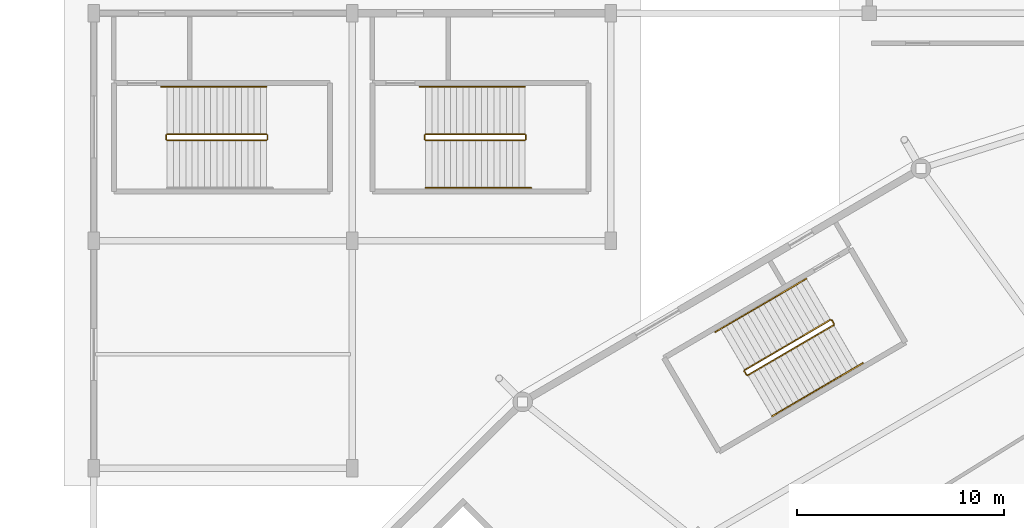
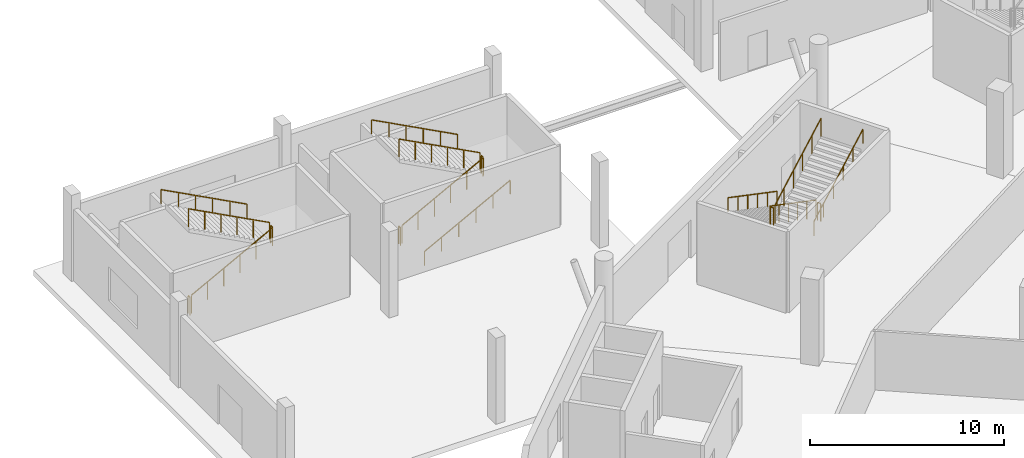
# One storey, part 78 of 82: 17 railings.
"""IFC4 building model written with IfcOpenShell, lengths in metres."""

from ifc_helpers import new_model, si_unit, direction, frame, origin, origin_2d, place, context, subcontext, project, spatial, rectangle, extrude, material, type_object, element, save


model = new_model("IFC4")

# Units and contexts
model_context = context("Model", 3, precision=1e-05, world=origin(), true_north=direction((0.0, 1.0)))
body_context = subcontext(model_context, "Body", "Model", "MODEL_VIEW")
ifc_project = project(units=[si_unit("LENGTHUNIT", "METRE"), si_unit("AREAUNIT", "SQUARE_METRE"), si_unit("VOLUMEUNIT", "CUBIC_METRE"), si_unit("PLANEANGLEUNIT", "RADIAN"), si_unit("MASSUNIT", "GRAM", prefix="KILO")], contexts=[model_context])

# Site, building, storey
site_placement = place(None, origin())
site = spatial("IfcSite", under=ifc_project, at=site_placement, CompositionType="ELEMENT")
building_placement = place(site_placement, origin())
building = spatial("IfcBuilding", under=site, at=building_placement, Name="Zlatoyarsky Gate Stadium", CompositionType="ELEMENT")
storey_placement = place(building_placement, origin())
storey = spatial("IfcBuildingStorey", under=building, at=storey_placement, Name="L00", CompositionType="ELEMENT", Elevation=0.0)

# Railings
ifc_material_1 = material(Name="Powder-coated steel stair guardrail", Category="steel")
railing_type_1 = type_object("IfcRailingType", Name="PAINTED STEEL STAIR WELL GUARDRAIL 1150", PredefinedType="GUARDRAIL", material=ifc_material_1)
railing_1_placement = place(storey_placement, frame((60.1220703125, 134.1767578125, 0.158935546875)))
element("IfcRailing", 1, at=railing_1_placement, inside=storey, type_object=railing_type_1, Name="ST-05 L00 stair guard 1", PredefinedType="GUARDRAIL", context=body_context, shape_type="SweptSolid", body=[
    extrude(rectangle(XDim=0.048095703125, YDim=0.048095703125, at=origin_2d()), frame((0.0, 0.0, 1.1259765625), z_axis=(-0.762577086584, -0.446739630186, 0.467867384884), x_axis=(0.505476687537, -0.862840262364, 0.0)), (0.0, 0.0, 1.0), 5.43115234375),
    extrude(rectangle(XDim=0.0419921875, YDim=0.0419921875, at=origin_2d()), origin(), (0.0, 0.0, 1.0), 1.101806640625),
    extrude(rectangle(XDim=0.0419921875, YDim=0.0419921875, at=origin_2d()), frame((-0.828369140625, -0.4853515625, 0.50830078125)), (0.0, 0.0, 1.0), 1.101806640625),
    extrude(rectangle(XDim=0.0419921875, YDim=0.0419921875, at=origin_2d()), frame((-1.65673828125, -0.970458984375, 1.016357421875)), (0.0, 0.0, 1.0), 1.101806640625),
    extrude(rectangle(XDim=0.0419921875, YDim=0.0419921875, at=origin_2d()), frame((-2.48486328125, -1.455810546875, 1.524658203125)), (0.0, 0.0, 1.0), 1.101806640625),
    extrude(rectangle(XDim=0.0419921875, YDim=0.0419921875, at=origin_2d()), frame((-3.313232421875, -1.94091796875, 2.03271484375)), (0.0, 0.0, 1.0), 1.101806640625),
    extrude(rectangle(XDim=0.0419921875, YDim=0.0419921875, at=origin_2d()), frame((-4.1416015625, -2.42626953125, 2.541015625)), (0.0, 0.0, 1.0), 1.101806640625),
])
railing_2_placement = place(storey_placement, frame((55.962646484375, 131.68212890625, 2.699951171875)))
element("IfcRailing", 2, at=railing_2_placement, inside=storey, type_object=railing_type_1, Name="ST-05 L00 stair guard 2", PredefinedType="GUARDRAIL", context=body_context, shape_type="SweptSolid", body=[
    extrude(rectangle(XDim=0.048095703125, YDim=0.048095703125, at=origin_2d()), frame((0.0, 0.0, 1.1259765625), z_axis=(0.505312229679, -0.862936585467, 0.0), x_axis=(0.862936585467, 0.505312229679, 0.0)), (0.0, 0.0, 1.0), 0.199951171875),
    extrude(rectangle(XDim=0.0419921875, YDim=0.0419921875, at=origin_2d()), origin(), (0.0, 0.0, 1.0), 1.101806640625),
    extrude(rectangle(XDim=0.0419921875, YDim=0.0419921875, at=origin_2d()), frame((0.10107421875, -0.172607421875, 0.0)), (0.0, 0.0, 1.0), 1.101806640625),
])
railing_3_placement = place(storey_placement, frame((56.132080078125, 131.49169921875, 2.85888671875)))
element("IfcRailing", 3, at=railing_3_placement, inside=storey, type_object=railing_type_1, Name="ST-05 L00 stair guard 3", PredefinedType="GUARDRAIL", context=body_context, shape_type="SweptSolid", body=[
    extrude(rectangle(XDim=0.048095703125, YDim=0.048095703125, at=origin_2d()), frame((0.0, 0.0, 1.1259765625), z_axis=(0.762577086584, 0.446739630186, 0.467867384884), x_axis=(-0.505476687537, 0.862840262364, 0.0)), (0.0, 0.0, 1.0), 5.43115234375),
    extrude(rectangle(XDim=0.0419921875, YDim=0.0419921875, at=origin_2d()), origin(), (0.0, 0.0, 1.0), 1.101806640625),
    extrude(rectangle(XDim=0.0419921875, YDim=0.0419921875, at=origin_2d()), frame((0.828369140625, 0.4853515625, 0.50830078125)), (0.0, 0.0, 1.0), 1.101806640625),
    extrude(rectangle(XDim=0.0419921875, YDim=0.0419921875, at=origin_2d()), frame((1.65673828125, 0.970458984375, 1.016357421875)), (0.0, 0.0, 1.0), 1.101806640625),
    extrude(rectangle(XDim=0.0419921875, YDim=0.0419921875, at=origin_2d()), frame((2.48486328125, 1.455810546875, 1.524658203125)), (0.0, 0.0, 1.0), 1.101806640625),
    extrude(rectangle(XDim=0.0419921875, YDim=0.0419921875, at=origin_2d()), frame((3.313232421875, 1.94091796875, 2.03271484375)), (0.0, 0.0, 1.0), 1.101806640625),
    extrude(rectangle(XDim=0.0419921875, YDim=0.0419921875, at=origin_2d()), frame((4.1416015625, 2.42626953125, 2.541015625)), (0.0, 0.0, 1.0), 1.101806640625),
])
railing_4_placement = place(storey_placement, frame((60.190673828125, 134.158935546875, 0.0)))
element("IfcRailing", 4, at=railing_4_placement, inside=storey, type_object=railing_type_1, Name="ST-05 L00 stair guard 4", PredefinedType="GUARDRAIL", context=body_context, shape_type="SweptSolid", body=[
    extrude(rectangle(XDim=0.048095703125, YDim=0.048095703125, at=origin_2d()), frame((0.0, 0.0, 1.1259765625), z_axis=(0.505312229679, -0.862936585467, 0.0), x_axis=(0.862936585467, 0.505312229679, 0.0)), (0.0, 0.0, 1.0), 0.199951171875),
    extrude(rectangle(XDim=0.0419921875, YDim=0.0419921875, at=origin_2d()), origin(), (0.0, 0.0, 1.0), 1.101806640625),
    extrude(rectangle(XDim=0.0419921875, YDim=0.0419921875, at=origin_2d()), frame((0.10107421875, -0.172607421875, 0.0)), (0.0, 0.0, 1.0), 1.101806640625),
])
railing_5_placement = place(storey_placement, frame((28.050048828125, 142.85009765625, 0.158935546875)))
element("IfcRailing", 5, at=railing_5_placement, inside=storey, type_object=railing_type_1, Name="ST-25 L00 stair guard 1", PredefinedType="GUARDRAIL", context=body_context, shape_type="SweptSolid", body=[
    extrude(rectangle(XDim=0.048095703125, YDim=0.048095703125, at=origin_2d()), frame((0.0, 0.0, 1.1259765625), z_axis=(0.883802130504, 0.0, 0.467860870469), x_axis=(0.0, 1.0, 0.0)), (0.0, 0.0, 1.0), 5.43115234375),
    extrude(rectangle(XDim=0.0419921875, YDim=0.0419921875, at=origin_2d()), origin(), (0.0, 0.0, 1.0), 1.101806640625),
    extrude(rectangle(XDim=0.0419921875, YDim=0.0419921875, at=origin_2d()), frame((0.9599609375, 0.0, 0.50830078125)), (0.0, 0.0, 1.0), 1.101806640625),
    extrude(rectangle(XDim=0.0419921875, YDim=0.0419921875, at=origin_2d()), frame((1.919921875, 0.0, 1.016357421875)), (0.0, 0.0, 1.0), 1.101806640625),
    extrude(rectangle(XDim=0.0419921875, YDim=0.0419921875, at=origin_2d()), frame((2.880126953125, 0.0, 1.524658203125)), (0.0, 0.0, 1.0), 1.101806640625),
    extrude(rectangle(XDim=0.0419921875, YDim=0.0419921875, at=origin_2d()), frame((3.840087890625, 0.0, 2.03271484375)), (0.0, 0.0, 1.0), 1.101806640625),
    extrude(rectangle(XDim=0.0419921875, YDim=0.0419921875, at=origin_2d()), frame((4.800048828125, 0.0, 2.541015625)), (0.0, 0.0, 1.0), 1.101806640625),
])
railing_6_placement = place(storey_placement, frame((32.89990234375, 142.89990234375, 2.699951171875)))
element("IfcRailing", 6, at=railing_6_placement, inside=storey, type_object=railing_type_1, Name="ST-25 L00 stair guard 2", PredefinedType="GUARDRAIL", context=body_context, shape_type="SweptSolid", body=[
    extrude(rectangle(XDim=0.048095703125, YDim=0.048095703125, at=origin_2d()), frame((0.0, 0.0, 1.1259765625), z_axis=(0.0, 1.0, 0.0), x_axis=(-1.0, 0.0, 0.0)), (0.0, 0.0, 1.0), 0.2001953125),
    extrude(rectangle(XDim=0.0419921875, YDim=0.0419921875, at=origin_2d()), origin(), (0.0, 0.0, 1.0), 1.101806640625),
    extrude(rectangle(XDim=0.0419921875, YDim=0.0419921875, at=origin_2d()), frame((0.0, 0.2001953125, 0.0)), (0.0, 0.0, 1.0), 1.101806640625),
])
railing_7_placement = place(storey_placement, frame((32.85009765625, 143.14990234375, 2.85888671875)))
element("IfcRailing", 7, at=railing_7_placement, inside=storey, type_object=railing_type_1, Name="ST-25 L00 stair guard 3", PredefinedType="GUARDRAIL", context=body_context, shape_type="SweptSolid", body=[
    extrude(rectangle(XDim=0.048095703125, YDim=0.048095703125, at=origin_2d()), frame((0.0, 0.0, 1.1259765625), z_axis=(-0.883802130504, 0.0, 0.467860870469), x_axis=(0.0, -1.0, 0.0)), (0.0, 0.0, 1.0), 5.43115234375),
    extrude(rectangle(XDim=0.0419921875, YDim=0.0419921875, at=origin_2d()), origin(), (0.0, 0.0, 1.0), 1.101806640625),
    extrude(rectangle(XDim=0.0419921875, YDim=0.0419921875, at=origin_2d()), frame((-0.9599609375, 0.0, 0.50830078125)), (0.0, 0.0, 1.0), 1.101806640625),
    extrude(rectangle(XDim=0.0419921875, YDim=0.0419921875, at=origin_2d()), frame((-1.919921875, 0.0, 1.016357421875)), (0.0, 0.0, 1.0), 1.101806640625),
    extrude(rectangle(XDim=0.0419921875, YDim=0.0419921875, at=origin_2d()), frame((-2.880126953125, 0.0, 1.524658203125)), (0.0, 0.0, 1.0), 1.101806640625),
    extrude(rectangle(XDim=0.0419921875, YDim=0.0419921875, at=origin_2d()), frame((-3.840087890625, 0.0, 2.03271484375)), (0.0, 0.0, 1.0), 1.101806640625),
    extrude(rectangle(XDim=0.0419921875, YDim=0.0419921875, at=origin_2d()), frame((-4.800048828125, 0.0, 2.541015625)), (0.0, 0.0, 1.0), 1.101806640625),
])
railing_8_placement = place(storey_placement, frame((28.0, 142.89990234375, 0.0)))
element("IfcRailing", 8, at=railing_8_placement, inside=storey, type_object=railing_type_1, Name="ST-25 L00 stair guard 4", PredefinedType="GUARDRAIL", context=body_context, shape_type="SweptSolid", body=[
    extrude(rectangle(XDim=0.048095703125, YDim=0.048095703125, at=origin_2d()), frame((0.0, 0.0, 1.1259765625), z_axis=(0.0, 1.0, 0.0), x_axis=(-1.0, 0.0, 0.0)), (0.0, 0.0, 1.0), 0.2001953125),
    extrude(rectangle(XDim=0.0419921875, YDim=0.0419921875, at=origin_2d()), origin(), (0.0, 0.0, 1.0), 1.101806640625),
    extrude(rectangle(XDim=0.0419921875, YDim=0.0419921875, at=origin_2d()), frame((0.0, 0.2001953125, 0.0)), (0.0, 0.0, 1.0), 1.101806640625),
])
railing_9_placement = place(storey_placement, frame((40.550048828125, 142.85009765625, 0.158935546875)))
element("IfcRailing", 9, at=railing_9_placement, inside=storey, type_object=railing_type_1, Name="ST-26 L00 stair guard 1", PredefinedType="GUARDRAIL", context=body_context, shape_type="SweptSolid", body=[
    extrude(rectangle(XDim=0.048095703125, YDim=0.048095703125, at=origin_2d()), frame((0.0, 0.0, 1.1259765625), z_axis=(0.883802130504, 0.0, 0.467860870469), x_axis=(0.0, 1.0, 0.0)), (0.0, 0.0, 1.0), 5.43115234375),
    extrude(rectangle(XDim=0.0419921875, YDim=0.0419921875, at=origin_2d()), origin(), (0.0, 0.0, 1.0), 1.101806640625),
    extrude(rectangle(XDim=0.0419921875, YDim=0.0419921875, at=origin_2d()), frame((0.9599609375, 0.0, 0.50830078125)), (0.0, 0.0, 1.0), 1.101806640625),
    extrude(rectangle(XDim=0.0419921875, YDim=0.0419921875, at=origin_2d()), frame((1.919921875, 0.0, 1.016357421875)), (0.0, 0.0, 1.0), 1.101806640625),
    extrude(rectangle(XDim=0.0419921875, YDim=0.0419921875, at=origin_2d()), frame((2.880126953125, 0.0, 1.524658203125)), (0.0, 0.0, 1.0), 1.101806640625),
    extrude(rectangle(XDim=0.0419921875, YDim=0.0419921875, at=origin_2d()), frame((3.840087890625, 0.0, 2.03271484375)), (0.0, 0.0, 1.0), 1.101806640625),
    extrude(rectangle(XDim=0.0419921875, YDim=0.0419921875, at=origin_2d()), frame((4.800048828125, 0.0, 2.541015625)), (0.0, 0.0, 1.0), 1.101806640625),
])
railing_10_placement = place(storey_placement, frame((45.39990234375, 142.89990234375, 2.699951171875)))
element("IfcRailing", 10, at=railing_10_placement, inside=storey, type_object=railing_type_1, Name="ST-26 L00 stair guard 2", PredefinedType="GUARDRAIL", context=body_context, shape_type="SweptSolid", body=[
    extrude(rectangle(XDim=0.048095703125, YDim=0.048095703125, at=origin_2d()), frame((0.0, 0.0, 1.1259765625), z_axis=(0.0, 1.0, 0.0), x_axis=(-1.0, 0.0, 0.0)), (0.0, 0.0, 1.0), 0.2001953125),
    extrude(rectangle(XDim=0.0419921875, YDim=0.0419921875, at=origin_2d()), origin(), (0.0, 0.0, 1.0), 1.101806640625),
    extrude(rectangle(XDim=0.0419921875, YDim=0.0419921875, at=origin_2d()), frame((0.0, 0.2001953125, 0.0)), (0.0, 0.0, 1.0), 1.101806640625),
])
railing_11_placement = place(storey_placement, frame((45.35009765625, 143.14990234375, 2.85888671875)))
element("IfcRailing", 11, at=railing_11_placement, inside=storey, type_object=railing_type_1, Name="ST-26 L00 stair guard 3", PredefinedType="GUARDRAIL", context=body_context, shape_type="SweptSolid", body=[
    extrude(rectangle(XDim=0.048095703125, YDim=0.048095703125, at=origin_2d()), frame((0.0, 0.0, 1.1259765625), z_axis=(-0.883802130504, 0.0, 0.467860870469), x_axis=(0.0, -1.0, 0.0)), (0.0, 0.0, 1.0), 5.43115234375),
    extrude(rectangle(XDim=0.0419921875, YDim=0.0419921875, at=origin_2d()), origin(), (0.0, 0.0, 1.0), 1.101806640625),
    extrude(rectangle(XDim=0.0419921875, YDim=0.0419921875, at=origin_2d()), frame((-0.9599609375, 0.0, 0.50830078125)), (0.0, 0.0, 1.0), 1.101806640625),
    extrude(rectangle(XDim=0.0419921875, YDim=0.0419921875, at=origin_2d()), frame((-1.919921875, 0.0, 1.016357421875)), (0.0, 0.0, 1.0), 1.101806640625),
    extrude(rectangle(XDim=0.0419921875, YDim=0.0419921875, at=origin_2d()), frame((-2.880126953125, 0.0, 1.524658203125)), (0.0, 0.0, 1.0), 1.101806640625),
    extrude(rectangle(XDim=0.0419921875, YDim=0.0419921875, at=origin_2d()), frame((-3.840087890625, 0.0, 2.03271484375)), (0.0, 0.0, 1.0), 1.101806640625),
    extrude(rectangle(XDim=0.0419921875, YDim=0.0419921875, at=origin_2d()), frame((-4.800048828125, 0.0, 2.541015625)), (0.0, 0.0, 1.0), 1.101806640625),
])
railing_12_placement = place(storey_placement, frame((40.5, 142.89990234375, 0.0)))
element("IfcRailing", 12, at=railing_12_placement, inside=storey, type_object=railing_type_1, Name="ST-26 L00 stair guard 4", PredefinedType="GUARDRAIL", context=body_context, shape_type="SweptSolid", body=[
    extrude(rectangle(XDim=0.048095703125, YDim=0.048095703125, at=origin_2d()), frame((0.0, 0.0, 1.1259765625), z_axis=(0.0, 1.0, 0.0), x_axis=(-1.0, 0.0, 0.0)), (0.0, 0.0, 1.0), 0.2001953125),
    extrude(rectangle(XDim=0.0419921875, YDim=0.0419921875, at=origin_2d()), origin(), (0.0, 0.0, 1.0), 1.101806640625),
    extrude(rectangle(XDim=0.0419921875, YDim=0.0419921875, at=origin_2d()), frame((0.0, 0.2001953125, 0.0)), (0.0, 0.0, 1.0), 1.101806640625),
])
ifc_material_2 = material(Name="Brushed stainless steel 316 handrail", Category="steel")
railing_type_2 = type_object("IfcRailingType", Name="STAINLESS STEEL TUBULAR HANDRAIL 900", PredefinedType="HANDRAIL", material=ifc_material_2)
railing_13_placement = place(storey_placement, frame((58.959716796875, 136.161376953125, 0.162841796875)))
element("IfcRailing", 13, at=railing_13_placement, inside=storey, type_object=railing_type_2, Name="ST-05 L00 stair handrail 1", PredefinedType="HANDRAIL", context=body_context, shape_type="SweptSolid", body=[
    extrude(rectangle(XDim=0.048095703125, YDim=0.048095703125, at=origin_2d()), frame((0.0, 0.0, 0.8759765625), z_axis=(-0.762584619125, -0.446720166066, 0.467873692255), x_axis=(0.505456573929, -0.862852045181, 0.0)), (0.0, 0.0, 1.0), 5.770751953125),
    extrude(rectangle(XDim=0.0419921875, YDim=0.0419921875, at=origin_2d()), origin(), (0.0, 0.0, 1.0), 0.851806640625),
    extrude(rectangle(XDim=0.0419921875, YDim=0.0419921875, at=origin_2d()), frame((-0.880126953125, -0.515625, 0.5400390625)), (0.0, 0.0, 1.0), 0.851806640625),
    extrude(rectangle(XDim=0.0419921875, YDim=0.0419921875, at=origin_2d()), frame((-1.76025390625, -1.03125, 1.080078125)), (0.0, 0.0, 1.0), 0.851806640625),
    extrude(rectangle(XDim=0.0419921875, YDim=0.0419921875, at=origin_2d()), frame((-2.640380859375, -1.546630859375, 1.619873046875)), (0.0, 0.0, 1.0), 0.851806640625),
    extrude(rectangle(XDim=0.0419921875, YDim=0.0419921875, at=origin_2d()), frame((-3.5205078125, -2.062255859375, 2.159912109375)), (0.0, 0.0, 1.0), 0.851806640625),
    extrude(rectangle(XDim=0.0419921875, YDim=0.0419921875, at=origin_2d()), frame((-4.400634765625, -2.577880859375, 2.699951171875)), (0.0, 0.0, 1.0), 0.851806640625),
])
railing_14_placement = place(storey_placement, frame((57.294677734375, 129.507080078125, 2.86279296875)))
element("IfcRailing", 14, at=railing_14_placement, inside=storey, type_object=railing_type_2, Name="ST-05 L00 stair handrail 2", PredefinedType="HANDRAIL", context=body_context, shape_type="SweptSolid", body=[
    extrude(rectangle(XDim=0.048095703125, YDim=0.048095703125, at=origin_2d()), frame((0.0, 0.0, 0.8759765625), z_axis=(0.762584619125, 0.446720166066, 0.467873692255), x_axis=(-0.505456573929, 0.862852045181, 0.0)), (0.0, 0.0, 1.0), 5.770751953125),
    extrude(rectangle(XDim=0.0419921875, YDim=0.0419921875, at=origin_2d()), origin(), (0.0, 0.0, 1.0), 0.851806640625),
    extrude(rectangle(XDim=0.0419921875, YDim=0.0419921875, at=origin_2d()), frame((0.880126953125, 0.515625, 0.5400390625)), (0.0, 0.0, 1.0), 0.851806640625),
    extrude(rectangle(XDim=0.0419921875, YDim=0.0419921875, at=origin_2d()), frame((1.76025390625, 1.03125, 1.080078125)), (0.0, 0.0, 1.0), 0.851806640625),
    extrude(rectangle(XDim=0.0419921875, YDim=0.0419921875, at=origin_2d()), frame((2.640380859375, 1.546630859375, 1.619873046875)), (0.0, 0.0, 1.0), 0.851806640625),
    extrude(rectangle(XDim=0.0419921875, YDim=0.0419921875, at=origin_2d()), frame((3.5205078125, 2.062255859375, 2.159912109375)), (0.0, 0.0, 1.0), 0.851806640625),
    extrude(rectangle(XDim=0.0419921875, YDim=0.0419921875, at=origin_2d()), frame((4.400634765625, 2.577880859375, 2.699951171875)), (0.0, 0.0, 1.0), 0.851806640625),
])
railing_15_placement = place(storey_placement, frame((32.85009765625, 145.449951171875, 2.86279296875)))
element("IfcRailing", 15, at=railing_15_placement, inside=storey, type_object=railing_type_2, Name="ST-25 L00 stair handrail 2", PredefinedType="HANDRAIL", context=body_context, shape_type="SweptSolid", body=[
    extrude(rectangle(XDim=0.048095703125, YDim=0.048095703125, at=origin_2d()), frame((0.0, 0.0, 0.8759765625), z_axis=(-0.883795119882, 0.0, 0.467874113489), x_axis=(0.0, -1.0, 0.0)), (0.0, 0.0, 1.0), 5.770751953125),
    extrude(rectangle(XDim=0.0419921875, YDim=0.0419921875, at=origin_2d()), origin(), (0.0, 0.0, 1.0), 0.851806640625),
    extrude(rectangle(XDim=0.0419921875, YDim=0.0419921875, at=origin_2d()), frame((-1.02001953125, 0.0, 0.5400390625)), (0.0, 0.0, 1.0), 0.851806640625),
    extrude(rectangle(XDim=0.0419921875, YDim=0.0419921875, at=origin_2d()), frame((-2.0400390625, 0.0, 1.080078125)), (0.0, 0.0, 1.0), 0.851806640625),
    extrude(rectangle(XDim=0.0419921875, YDim=0.0419921875, at=origin_2d()), frame((-3.06005859375, 0.0, 1.619873046875)), (0.0, 0.0, 1.0), 0.851806640625),
    extrude(rectangle(XDim=0.0419921875, YDim=0.0419921875, at=origin_2d()), frame((-4.080078125, 0.0, 2.159912109375)), (0.0, 0.0, 1.0), 0.851806640625),
    extrude(rectangle(XDim=0.0419921875, YDim=0.0419921875, at=origin_2d()), frame((-5.10009765625, 0.0, 2.699951171875)), (0.0, 0.0, 1.0), 0.851806640625),
])
railing_16_placement = place(storey_placement, frame((40.550048828125, 140.550048828125, 0.162841796875)))
element("IfcRailing", 16, at=railing_16_placement, inside=storey, type_object=railing_type_2, Name="ST-26 L00 stair handrail 1", PredefinedType="HANDRAIL", context=body_context, shape_type="SweptSolid", body=[
    extrude(rectangle(XDim=0.048095703125, YDim=0.048095703125, at=origin_2d()), frame((0.0, 0.0, 0.8759765625), z_axis=(0.883785858079, 0.0, 0.467891608238), x_axis=(0.0, 1.0, 0.0)), (0.0, 0.0, 1.0), 5.7705078125),
    extrude(rectangle(XDim=0.0419921875, YDim=0.0419921875, at=origin_2d()), origin(), (0.0, 0.0, 1.0), 0.851806640625),
    extrude(rectangle(XDim=0.0419921875, YDim=0.0419921875, at=origin_2d()), frame((1.02001953125, 0.0, 0.5400390625)), (0.0, 0.0, 1.0), 0.851806640625),
    extrude(rectangle(XDim=0.0419921875, YDim=0.0419921875, at=origin_2d()), frame((2.0400390625, 0.0, 1.080078125)), (0.0, 0.0, 1.0), 0.851806640625),
    extrude(rectangle(XDim=0.0419921875, YDim=0.0419921875, at=origin_2d()), frame((3.059814453125, 0.0, 1.619873046875)), (0.0, 0.0, 1.0), 0.851806640625),
    extrude(rectangle(XDim=0.0419921875, YDim=0.0419921875, at=origin_2d()), frame((4.079833984375, 0.0, 2.159912109375)), (0.0, 0.0, 1.0), 0.851806640625),
    extrude(rectangle(XDim=0.0419921875, YDim=0.0419921875, at=origin_2d()), frame((5.099853515625, 0.0, 2.699951171875)), (0.0, 0.0, 1.0), 0.851806640625),
])
railing_17_placement = place(storey_placement, frame((45.35009765625, 145.449951171875, 2.86279296875)))
element("IfcRailing", 17, at=railing_17_placement, inside=storey, type_object=railing_type_2, Name="ST-26 L00 stair handrail 2", PredefinedType="HANDRAIL", context=body_context, shape_type="SweptSolid", body=[
    extrude(rectangle(XDim=0.048095703125, YDim=0.048095703125, at=origin_2d()), frame((0.0, 0.0, 0.8759765625), z_axis=(-0.883795119882, 0.0, 0.467874113489), x_axis=(0.0, -1.0, 0.0)), (0.0, 0.0, 1.0), 5.770751953125),
    extrude(rectangle(XDim=0.0419921875, YDim=0.0419921875, at=origin_2d()), origin(), (0.0, 0.0, 1.0), 0.851806640625),
    extrude(rectangle(XDim=0.0419921875, YDim=0.0419921875, at=origin_2d()), frame((-1.02001953125, 0.0, 0.5400390625)), (0.0, 0.0, 1.0), 0.851806640625),
    extrude(rectangle(XDim=0.0419921875, YDim=0.0419921875, at=origin_2d()), frame((-2.0400390625, 0.0, 1.080078125)), (0.0, 0.0, 1.0), 0.851806640625),
    extrude(rectangle(XDim=0.0419921875, YDim=0.0419921875, at=origin_2d()), frame((-3.06005859375, 0.0, 1.619873046875)), (0.0, 0.0, 1.0), 0.851806640625),
    extrude(rectangle(XDim=0.0419921875, YDim=0.0419921875, at=origin_2d()), frame((-4.080078125, 0.0, 2.159912109375)), (0.0, 0.0, 1.0), 0.851806640625),
    extrude(rectangle(XDim=0.0419921875, YDim=0.0419921875, at=origin_2d()), frame((-5.10009765625, 0.0, 2.699951171875)), (0.0, 0.0, 1.0), 0.851806640625),
])

save(model, "model.ifc")
